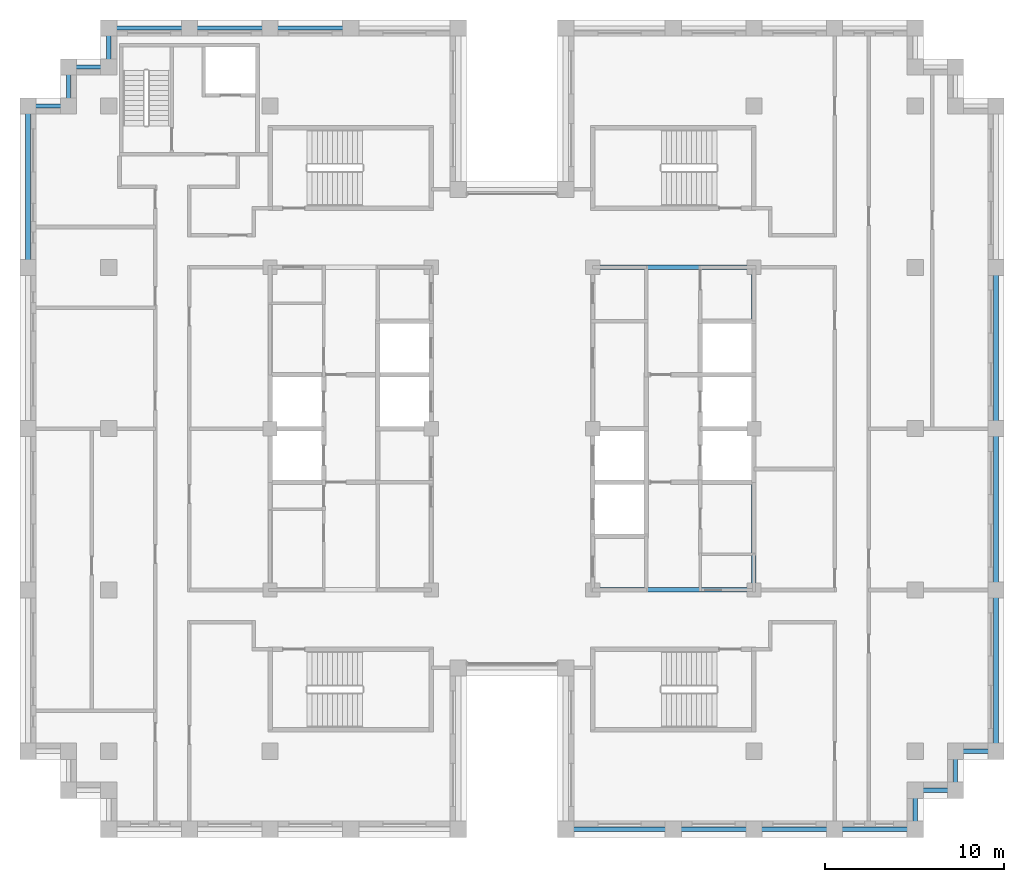
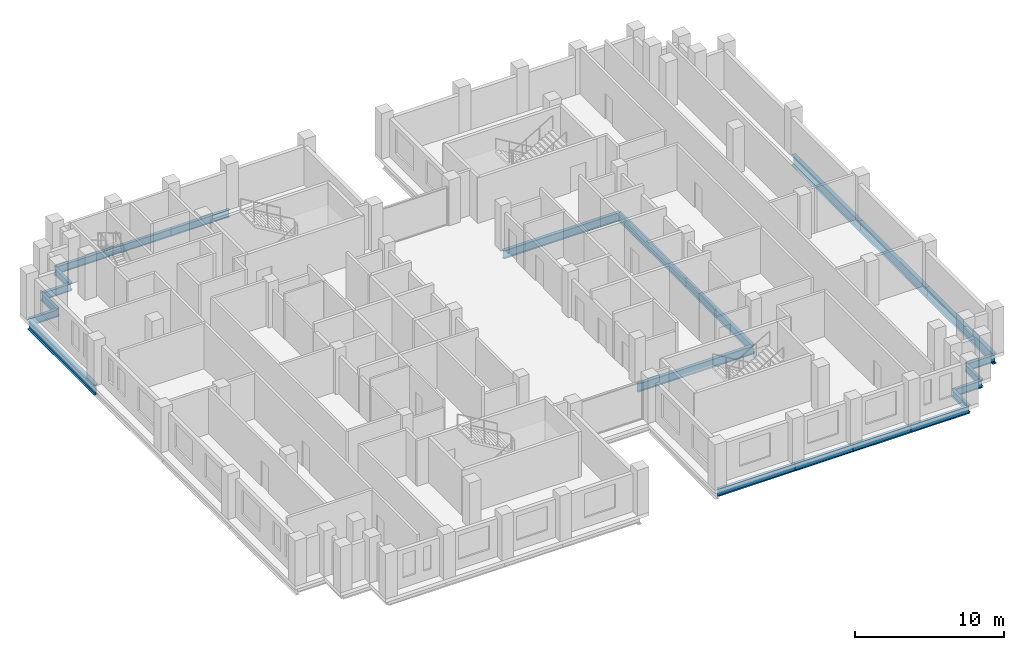
# One storey, part 3 of 13: 23 beams.
"""IFC4 building model written with IfcOpenShell, lengths in metres."""

from ifc_helpers import new_model, si_unit, direction, frame, origin, origin_2d, place, context, subcontext, project, spatial, i_section, extrude, material, material_profile, profile_set, type_object, element, save


model = new_model("IFC4")

# Units and contexts
model_context = context("Model", 3, precision=1e-05, world=origin(), true_north=direction((0.0, 1.0)))
body_context = subcontext(model_context, "Body", "Model", "MODEL_VIEW")
ifc_project = project(units=[si_unit("LENGTHUNIT", "METRE"), si_unit("AREAUNIT", "SQUARE_METRE"), si_unit("VOLUMEUNIT", "CUBIC_METRE"), si_unit("PLANEANGLEUNIT", "RADIAN"), si_unit("MASSUNIT", "GRAM", prefix="KILO")], contexts=[model_context])

# Site, building, storey
site_placement = place(None, origin())
site = spatial("IfcSite", under=ifc_project, at=site_placement, CompositionType="ELEMENT")
building_placement = place(site_placement, origin())
building = spatial("IfcBuilding", under=site, at=building_placement, Name="Corbelhall Arena Tower", CompositionType="ELEMENT")
storey_placement = place(building_placement, frame((0.0, 0.0, 274.0)))
storey = spatial("IfcBuildingStorey", under=building, at=storey_placement, Name="L59", CompositionType="ELEMENT", Elevation=274.0)

# Beams
ifc_material = material(Name="Steel ASTM A992 Gr50", Category="steel")
ifc_material_profile_1 = material_profile(ifc_material, i_section(OverallWidth=0.25390625, OverallDepth=0.67822265625, WebThickness=0.01171875, FlangeThickness=0.016357421875, at=origin_2d()))
ifc_profile_set_1 = profile_set([ifc_material_profile_1], Name="Steel ASTM A992 Gr50")
beam_type_1 = type_object("IfcBeamType", Name="ST-BEAM-W27x84", PredefinedType="BEAM", material=ifc_profile_set_1)
for number, where, z_axis, x_axis, name in (
    (1, (13.5, -9.0, -0.619140625), (0.0, 1.0, 0.0), (-1.0, 0.0, 0.0), "Beam CEE 9"),
    (2, (13.5, 0.0, -0.619140625), (0.0, 1.0, 0.0), (-1.0, 0.0, 0.0), "Beam CEE 10"),
    (3, (4.5, -9.0, -0.619140625), (1.0, 0.0, 0.0), (0.0, 1.0, 0.0), "Beam CEE 11"),
    (4, (4.5, 9.0, -0.619140625), (1.0, 0.0, 0.0), (0.0, 1.0, 0.0), "Beam CEE 12"),
):
    element("IfcBeam", number, at=place(storey_placement, frame(where, z_axis=z_axis, x_axis=x_axis)), inside=storey, type_object=beam_type_1, Name=name, PredefinedType="BEAM", context=body_context, shape_type="SweptSolid", body=[
        extrude(i_section(OverallWidth=0.25390625, OverallDepth=0.67822265625, WebThickness=0.01171875, FlangeThickness=0.016357421875, at=origin_2d()), origin(), (0.0, 0.0, 1.0), 9.0),
    ])
ifc_material_profile_2 = material_profile(ifc_material, i_section(OverallWidth=0.227783203125, OverallDepth=0.60205078125, WebThickness=0.010498046875, FlangeThickness=0.014892578125, at=origin_2d()))
ifc_profile_set_2 = profile_set([ifc_material_profile_2], Name="Steel ASTM A992 Gr50")
beam_type_2 = type_object("IfcBeamType", Name="ST-SPANDREL-W24x68", PredefinedType="SPANDREL", material=ifc_profile_set_2)
beam_1_placement = place(storey_placement, frame((27.0, -18.0, -0.5810546875), z_axis=(-1.0, 0.0, 0.0), x_axis=(0.0, -1.0, 0.0)))
element("IfcBeam", 5, at=beam_1_placement, inside=storey, type_object=beam_type_2, Name="Beam SP 5", PredefinedType="SPANDREL", context=body_context, shape_type="SweptSolid", body=[
    extrude(i_section(OverallWidth=0.227783203125, OverallDepth=0.60205078125, WebThickness=0.010498046875, FlangeThickness=0.014892578125, at=origin_2d()), origin(), (0.0, 0.0, 1.0), 2.25),
])
for number, where, z_axis, x_axis, name in (
    (6, (-13.5, 22.35009765625, -0.5810546875), (1.0, 0.0, 0.0), (0.0, 1.0, 0.0), "Beam SP 13"),
    (7, (-18.0, 22.35009765625, -0.5810546875), (1.0, 0.0, 0.0), (0.0, 1.0, 0.0), "Beam SP 14"),
    (8, (-22.5, 22.35009765625, -0.5810546875), (1.0, 0.0, 0.0), (0.0, 1.0, 0.0), "Beam SP 15"),
):
    element("IfcBeam", number, at=place(storey_placement, frame(where, z_axis=z_axis, x_axis=x_axis)), inside=storey, type_object=beam_type_2, Name=name, PredefinedType="SPANDREL", context=body_context, shape_type="SweptSolid", body=[
        extrude(i_section(OverallWidth=0.227783203125, OverallDepth=0.60205078125, WebThickness=0.010498046875, FlangeThickness=0.014892578125, at=origin_2d()), origin(), (0.0, 0.0, 1.0), 4.5),
    ])
beam_2_placement = place(storey_placement, frame((9.0, -22.35009765625, -0.5810546875), z_axis=(-1.0, 0.0, 0.0), x_axis=(0.0, -1.0, 0.0)))
element("IfcBeam", 9, at=beam_2_placement, inside=storey, type_object=beam_type_2, Name="Beam SP 17", PredefinedType="SPANDREL", context=body_context, shape_type="SweptSolid", body=[
    extrude(i_section(OverallWidth=0.227783203125, OverallDepth=0.60205078125, WebThickness=0.010498046875, FlangeThickness=0.014892578125, at=origin_2d()), origin(), (0.0, 0.0, 1.0), 6.0),
])
for number, where, z_axis, x_axis, name in (
    (10, (13.5, -22.35009765625, -0.5810546875), (-1.0, 0.0, 0.0), (0.0, -1.0, 0.0), "Beam SP 18"),
    (11, (18.0, -22.35009765625, -0.5810546875), (-1.0, 0.0, 0.0), (0.0, -1.0, 0.0), "Beam SP 19"),
    (12, (22.5, -22.35009765625, -0.5810546875), (-1.0, 0.0, 0.0), (0.0, -1.0, 0.0), "Beam SP 20"),
):
    element("IfcBeam", number, at=place(storey_placement, frame(where, z_axis=z_axis, x_axis=x_axis)), inside=storey, type_object=beam_type_2, Name=name, PredefinedType="SPANDREL", context=body_context, shape_type="SweptSolid", body=[
        extrude(i_section(OverallWidth=0.227783203125, OverallDepth=0.60205078125, WebThickness=0.010498046875, FlangeThickness=0.014892578125, at=origin_2d()), origin(), (0.0, 0.0, 1.0), 4.5),
    ])
beam_3_placement = place(storey_placement, frame((-27.0, 18.0, -0.5810546875), z_axis=(1.0, 0.0, 0.0), x_axis=(0.0, 1.0, 0.0)))
element("IfcBeam", 13, at=beam_3_placement, inside=storey, type_object=beam_type_2, Name="Beam SP 28", PredefinedType="SPANDREL", context=body_context, shape_type="SweptSolid", body=[
    extrude(i_section(OverallWidth=0.227783203125, OverallDepth=0.60205078125, WebThickness=0.010498046875, FlangeThickness=0.014892578125, at=origin_2d()), origin(), (0.0, 0.0, 1.0), 2.25),
])
beam_4_placement = place(storey_placement, frame((-22.5, 20.175048828125, -0.5810546875), z_axis=(0.0, 1.0, 0.0), x_axis=(-1.0, 0.0, 0.0)))
element("IfcBeam", 14, at=beam_4_placement, inside=storey, type_object=beam_type_2, Name="Beam SP 38", PredefinedType="SPANDREL", context=body_context, shape_type="SweptSolid", body=[
    extrude(i_section(OverallWidth=0.227783203125, OverallDepth=0.60205078125, WebThickness=0.010498046875, FlangeThickness=0.014892578125, at=origin_2d()), origin(), (0.0, 0.0, 1.0), 2.175048828125),
])
beam_5_placement = place(storey_placement, frame((-24.75, 20.175048828125, -0.5810546875), z_axis=(1.0, 0.0, 0.0), x_axis=(0.0, 1.0, 0.0)))
element("IfcBeam", 15, at=beam_5_placement, inside=storey, type_object=beam_type_2, Name="Beam SP 39", PredefinedType="SPANDREL", context=body_context, shape_type="SweptSolid", body=[
    extrude(i_section(OverallWidth=0.227783203125, OverallDepth=0.60205078125, WebThickness=0.010498046875, FlangeThickness=0.014892578125, at=origin_2d()), origin(), (0.0, 0.0, 1.0), 2.25),
])
for number, where, z_axis, x_axis, name in (
    (16, (-24.75, 18.0, -0.5810546875), (0.0, 1.0, 0.0), (-1.0, 0.0, 0.0), "Beam SP 40"),
    (17, (22.5, -20.175048828125, -0.5810546875), (0.0, -1.0, 0.0), (1.0, 0.0, 0.0), "Beam SP 41"),
):
    element("IfcBeam", number, at=place(storey_placement, frame(where, z_axis=z_axis, x_axis=x_axis)), inside=storey, type_object=beam_type_2, Name=name, PredefinedType="SPANDREL", context=body_context, shape_type="SweptSolid", body=[
        extrude(i_section(OverallWidth=0.227783203125, OverallDepth=0.60205078125, WebThickness=0.010498046875, FlangeThickness=0.014892578125, at=origin_2d()), origin(), (0.0, 0.0, 1.0), 2.175048828125),
    ])
beam_6_placement = place(storey_placement, frame((24.75, -20.175048828125, -0.5810546875), z_axis=(-1.0, 0.0, 0.0), x_axis=(0.0, -1.0, 0.0)))
element("IfcBeam", 18, at=beam_6_placement, inside=storey, type_object=beam_type_2, Name="Beam SP 42", PredefinedType="SPANDREL", context=body_context, shape_type="SweptSolid", body=[
    extrude(i_section(OverallWidth=0.227783203125, OverallDepth=0.60205078125, WebThickness=0.010498046875, FlangeThickness=0.014892578125, at=origin_2d()), origin(), (0.0, 0.0, 1.0), 2.25),
])
beam_7_placement = place(storey_placement, frame((24.75, -18.0, -0.5810546875), z_axis=(0.0, -1.0, 0.0), x_axis=(1.0, 0.0, 0.0)))
element("IfcBeam", 19, at=beam_7_placement, inside=storey, type_object=beam_type_2, Name="Beam SP 43", PredefinedType="SPANDREL", context=body_context, shape_type="SweptSolid", body=[
    extrude(i_section(OverallWidth=0.227783203125, OverallDepth=0.60205078125, WebThickness=0.010498046875, FlangeThickness=0.014892578125, at=origin_2d()), origin(), (0.0, 0.0, 1.0), 2.175048828125),
])
ifc_material_profile_3 = material_profile(ifc_material, i_section(OverallWidth=0.2919921875, OverallDepth=0.845703125, WebThickness=0.015380859375, FlangeThickness=0.0244140625, at=origin_2d()))
ifc_profile_set_3 = profile_set([ifc_material_profile_3], Name="Steel ASTM A992 Gr50")
beam_type_3 = type_object("IfcBeamType", Name="ST-SPANDREL-W33x141", PredefinedType="SPANDREL", material=ifc_profile_set_3)
for number, where, z_axis, x_axis, name in (
    (20, (27.0, 0.0, -0.702880859375), (0.0, -1.0, 0.0), (1.0, 0.0, 0.0), "Beam SP 1"),
    (21, (27.0, 9.0, -0.702880859375), (0.0, -1.0, 0.0), (1.0, 0.0, 0.0), "Beam SP 2"),
    (22, (27.0, -9.0, -0.702880859375), (0.0, -1.0, 0.0), (1.0, 0.0, 0.0), "Beam SP 4"),
    (23, (-27.0, 9.0, -0.702880859375), (0.0, 1.0, 0.0), (-1.0, 0.0, 0.0), "Beam SP 27"),
):
    element("IfcBeam", number, at=place(storey_placement, frame(where, z_axis=z_axis, x_axis=x_axis)), inside=storey, type_object=beam_type_3, Name=name, PredefinedType="SPANDREL", context=body_context, shape_type="SweptSolid", body=[
        extrude(i_section(OverallWidth=0.2919921875, OverallDepth=0.845703125, WebThickness=0.015380859375, FlangeThickness=0.0244140625, at=origin_2d()), origin(), (0.0, 0.0, 1.0), 9.0),
    ])

save(model, "model.ifc")
